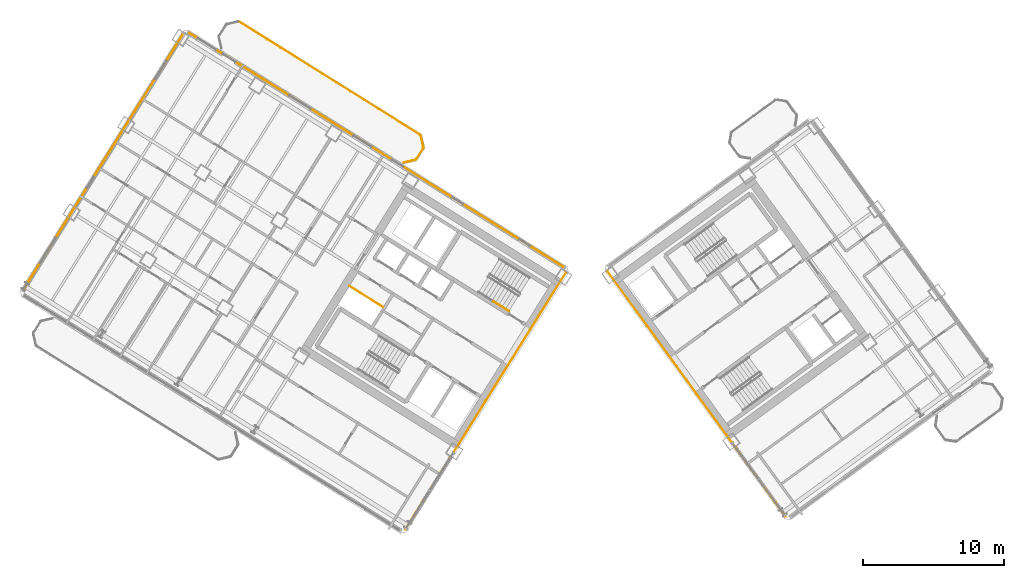
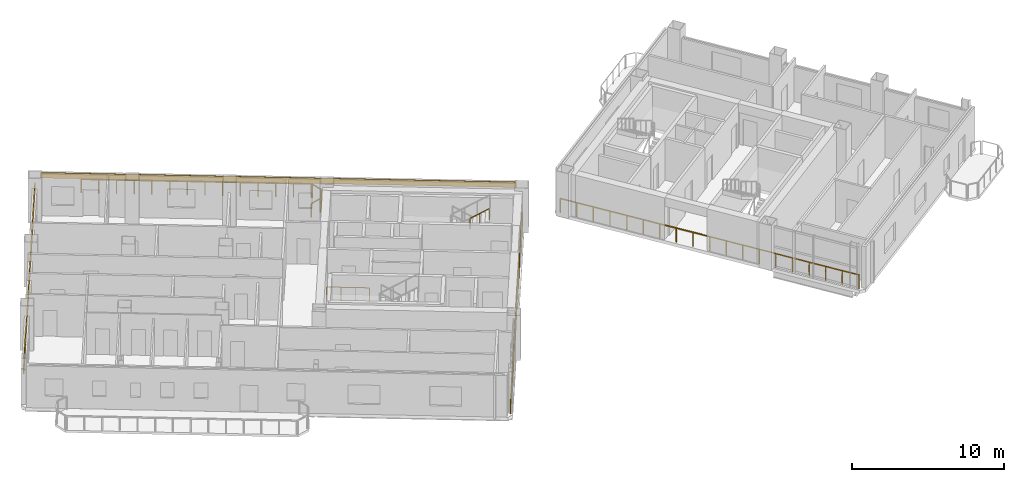
# One storey, part 16 of 19: 8 railings, 2 coverings.
"""IFC4 building model written with IfcOpenShell, lengths in metres."""

from ifc_helpers import new_model, si_unit, direction, frame, origin, origin_2d, place, context, subcontext, project, spatial, rectangle, extrude, source, transform, mapped, material, layer, layer_set, type_object, element, save


model = new_model("IFC4")

# Units and contexts
model_context = context("Model", 3, precision=1e-05, world=origin(), true_north=direction((0.0, 1.0)))
body_context = subcontext(model_context, "Body", "Model", "MODEL_VIEW")
ifc_project = project(units=[si_unit("LENGTHUNIT", "METRE"), si_unit("AREAUNIT", "SQUARE_METRE"), si_unit("VOLUMEUNIT", "CUBIC_METRE"), si_unit("PLANEANGLEUNIT", "RADIAN"), si_unit("MASSUNIT", "GRAM", prefix="KILO")], contexts=[model_context])

# Site, building, storey
site_placement = place(None, origin())
site = spatial("IfcSite", under=ifc_project, at=site_placement, CompositionType="ELEMENT")
building_placement = place(site_placement, origin())
building = spatial("IfcBuilding", under=site, at=building_placement, Name="Tlacorven Tower", CompositionType="ELEMENT")
storey_placement = place(building_placement, frame((0.0, 0.0, 144.300048828125)))
storey = spatial("IfcBuildingStorey", under=building, at=storey_placement, Name="L36", CompositionType="ELEMENT", Elevation=144.300048828125)

# Railings
ifc_material_1 = material(Name="Aluminium and painted steel balustrade", Category="steel")
railing_type_1 = type_object("IfcRailingType", Name="RL-GRD-1100", PredefinedType="GUARDRAIL", material=ifc_material_1)
shared_shape_1 = source(origin(), body_context, "Body", "SweptSolid", [
    extrude(rectangle(XDim=0.048095703125, YDim=0.048095703125, at=origin_2d()), frame((0.0, 0.0, 1.076171875), z_axis=(-0.848091358275, 0.529850024081, 0.0), x_axis=(-0.529850024081, -0.848091358275, 0.0)), (0.0, 0.0, 1.0), 2.800048828125),
    extrude(rectangle(XDim=0.0419921875, YDim=0.0419921875, at=origin_2d()), origin(), (0.0, 0.0, 1.0), 1.052001953125),
    extrude(rectangle(XDim=0.0419921875, YDim=0.0419921875, at=origin_2d()), frame((-0.79150390625, 0.49462890625, 0.0)), (0.0, 0.0, 1.0), 1.052001953125),
    extrude(rectangle(XDim=0.0419921875, YDim=0.0419921875, at=origin_2d()), frame((-1.583251953125, 0.989013671875, 0.0)), (0.0, 0.0, 1.0), 1.052001953125),
    extrude(rectangle(XDim=0.0419921875, YDim=0.0419921875, at=origin_2d()), frame((-2.374755859375, 1.483642578125, 0.0)), (0.0, 0.0, 1.0), 1.052001953125),
])
railing_1_placement = place(storey_placement, frame((27.9912109375, 22.32080078125, 0.0)))
element("IfcRailing", 1, at=railing_1_placement, inside=storey, type_object=railing_type_1, Name="L36 Electrical Riser W Shaft Guard 1", PredefinedType="GUARDRAIL", context=body_context, shape_type="MappedRepresentation", body=[
    mapped(shared_shape_1, transform((0.0, 0.0, 0.0), scale=1.0)),
])
railing_type_2 = type_object("IfcRailingType", Name="RL-BAL-1100", PredefinedType="BALUSTRADE", material=ifc_material_1)
shared_shape_2 = source(origin(), body_context, "Body", "SweptSolid", [
    extrude(rectangle(XDim=0.048095703125, YDim=0.048095703125, at=origin_2d()), frame((0.0, 0.0, 1.076171875), z_axis=(0.225058334816, -0.974345290916, 0.0), x_axis=(0.974345290916, 0.225058334816, 0.0)), (0.0, 0.0, 1.0), 0.80712890625),
    extrude(rectangle(XDim=0.0419921875, YDim=0.0419921875, at=origin_2d()), origin(), (0.0, 0.0, 1.0), 1.052001953125),
    extrude(rectangle(XDim=0.0419921875, YDim=0.0419921875, at=origin_2d()), frame((0.181640625, -0.786376953125, 0.0)), (0.0, 0.0, 1.0), 1.052001953125),
])
railing_2_placement = place(storey_placement, frame((30.6796875, 34.466064453125, 0.0)))
element("IfcRailing", 2, at=railing_2_placement, inside=storey, type_object=railing_type_2, Name="BAL-L36-W-IN Guard Railing 1", PredefinedType="BALUSTRADE", context=body_context, shape_type="MappedRepresentation", body=[
    mapped(shared_shape_2, transform((0.0, 0.0, 0.0), scale=1.0)),
])
shared_shape_3 = source(origin(), body_context, "Body", "SweptSolid", [
    extrude(rectangle(XDim=0.048095703125, YDim=0.048095703125, at=origin_2d()), frame((0.0, 0.0, 1.076171875), z_axis=(-0.52987865805, -0.848073468364, 0.0), x_axis=(0.848073468364, -0.52987865805, 0.0)), (0.0, 0.0, 1.0), 0.912353515625),
    extrude(rectangle(XDim=0.0419921875, YDim=0.0419921875, at=origin_2d()), origin(), (0.0, 0.0, 1.0), 1.052001953125),
    extrude(rectangle(XDim=0.0419921875, YDim=0.0419921875, at=origin_2d()), frame((-0.4833984375, -0.773681640625, 0.0)), (0.0, 0.0, 1.0), 1.052001953125),
])
railing_3_placement = place(storey_placement, frame((30.845947265625, 33.588623046875, 0.0)))
element("IfcRailing", 3, at=railing_3_placement, inside=storey, type_object=railing_type_2, Name="BAL-L36-W-IN Guard Railing 2", PredefinedType="BALUSTRADE", context=body_context, shape_type="MappedRepresentation", body=[
    mapped(shared_shape_3, transform((0.0, 0.0, 0.0), scale=1.0)),
])
shared_shape_4 = source(origin(), body_context, "Body", "SweptSolid", [
    extrude(rectangle(XDim=0.048095703125, YDim=0.048095703125, at=origin_2d()), frame((0.0, 0.0, 1.076171875), z_axis=(-0.974345290916, -0.225058334816, 0.0), x_axis=(0.225058334816, -0.974345290916, 0.0)), (0.0, 0.0, 1.0), 0.80712890625),
    extrude(rectangle(XDim=0.0419921875, YDim=0.0419921875, at=origin_2d()), origin(), (0.0, 0.0, 1.0), 1.052001953125),
    extrude(rectangle(XDim=0.0419921875, YDim=0.0419921875, at=origin_2d()), frame((-0.786376953125, -0.181640625, 0.0)), (0.0, 0.0, 1.0), 1.052001953125),
])
railing_4_placement = place(storey_placement, frame((30.287353515625, 32.761474609375, 0.0)))
element("IfcRailing", 4, at=railing_4_placement, inside=storey, type_object=railing_type_2, Name="BAL-L36-W-IN Guard Railing 3", PredefinedType="BALUSTRADE", context=body_context, shape_type="MappedRepresentation", body=[
    mapped(shared_shape_4, transform((0.0, 0.0, 0.0), scale=1.0)),
])
shared_shape_5 = source(origin(), body_context, "Body", "SweptSolid", [
    extrude(rectangle(XDim=0.048095703125, YDim=0.048095703125, at=origin_2d()), frame((0.0, 0.0, 1.076171875), z_axis=(0.848044572804, -0.529924902733, 0.0), x_axis=(0.529924902733, 0.848044572804, 0.0)), (0.0, 0.0, 1.0), 15.1171875),
    extrude(rectangle(XDim=0.0419921875, YDim=0.0419921875, at=origin_2d()), origin(), (0.0, 0.0, 1.0), 1.052001953125),
    extrude(rectangle(XDim=0.0419921875, YDim=0.0419921875, at=origin_2d()), frame((0.986083984375, -0.6162109375, 0.0)), (0.0, 0.0, 1.0), 1.052001953125),
    extrude(rectangle(XDim=0.0419921875, YDim=0.0419921875, at=origin_2d()), frame((1.972412109375, -1.232421875, 0.0)), (0.0, 0.0, 1.0), 1.052001953125),
    extrude(rectangle(XDim=0.0419921875, YDim=0.0419921875, at=origin_2d()), frame((2.95849609375, -1.8486328125, 0.0)), (0.0, 0.0, 1.0), 1.052001953125),
    extrude(rectangle(XDim=0.0419921875, YDim=0.0419921875, at=origin_2d()), frame((3.944580078125, -2.46484375, 0.0)), (0.0, 0.0, 1.0), 1.052001953125),
    extrude(rectangle(XDim=0.0419921875, YDim=0.0419921875, at=origin_2d()), frame((4.930908203125, -3.0810546875, 0.0)), (0.0, 0.0, 1.0), 1.052001953125),
    extrude(rectangle(XDim=0.0419921875, YDim=0.0419921875, at=origin_2d()), frame((5.9169921875, -3.697265625, 0.0)), (0.0, 0.0, 1.0), 1.052001953125),
    extrude(rectangle(XDim=0.0419921875, YDim=0.0419921875, at=origin_2d()), frame((6.903076171875, -4.313720703125, 0.0)), (0.0, 0.0, 1.0), 1.052001953125),
    extrude(rectangle(XDim=0.0419921875, YDim=0.0419921875, at=origin_2d()), frame((7.88916015625, -4.929931640625, 0.0)), (0.0, 0.0, 1.0), 1.052001953125),
    extrude(rectangle(XDim=0.0419921875, YDim=0.0419921875, at=origin_2d()), frame((8.87548828125, -5.546142578125, 0.0)), (0.0, 0.0, 1.0), 1.052001953125),
    extrude(rectangle(XDim=0.0419921875, YDim=0.0419921875, at=origin_2d()), frame((9.861572265625, -6.162353515625, 0.0)), (0.0, 0.0, 1.0), 1.052001953125),
    extrude(rectangle(XDim=0.0419921875, YDim=0.0419921875, at=origin_2d()), frame((10.84765625, -6.778564453125, 0.0)), (0.0, 0.0, 1.0), 1.052001953125),
    extrude(rectangle(XDim=0.0419921875, YDim=0.0419921875, at=origin_2d()), frame((11.833984375, -7.394775390625, 0.0)), (0.0, 0.0, 1.0), 1.052001953125),
    extrude(rectangle(XDim=0.0419921875, YDim=0.0419921875, at=origin_2d()), frame((12.820068359375, -8.010986328125, 0.0)), (0.0, 0.0, 1.0), 1.052001953125),
])
railing_5_placement = place(storey_placement, frame((17.805908203125, 42.55224609375, 0.0)))
element("IfcRailing", 5, at=railing_5_placement, inside=storey, type_object=railing_type_2, Name="BAL-L36-W-IN Guard Railing 7", PredefinedType="BALUSTRADE", context=body_context, shape_type="MappedRepresentation", body=[
    mapped(shared_shape_5, transform((0.0, 0.0, 0.0), scale=1.0)),
])

# Coverings
ifc_material_2 = material(Name="Precast concrete C45/55", Category="concrete")
ifc_layer = layer(ifc_material_2, 0.06005859375)
ifc_layer_set = layer_set([ifc_layer], Name="Precast concrete C45/55")
covering_type = type_object("IfcCoveringType", Name="CV-CLD-TERC", PredefinedType="CLADDING", material=ifc_layer_set)
shared_shape_6 = source(origin(), body_context, "Body", "SweptSolid", [
    extrude(rectangle(XDim=31.287353515625, YDim=0.06005859375, at=origin_2d()), origin(), (0.0, 0.0, 1.0), 0.419921875),
])
covering_1_placement = place(storey_placement, frame((27.5322265625, 33.455810546875, 2.929931640625), z_axis=(0.0, 0.0, 1.0), x_axis=(0.84804812172, -0.529919223323, 0.0)))
element("IfcCovering", 6, at=covering_1_placement, inside=storey, type_object=covering_type, Name="L36 Masonry-Frame Spandrel Cladding 3", PredefinedType="CLADDING", context=body_context, shape_type="MappedRepresentation", body=[
    mapped(shared_shape_6, transform((0.0, 0.0, 0.0), scale=1.0)),
])
shared_shape_7 = source(origin(), body_context, "Body", "SweptSolid", [
    extrude(rectangle(XDim=21.287353515625, YDim=0.06005859375, at=origin_2d()), origin(), (0.0, 0.0, 1.0), 0.419921875),
])
covering_2_placement = place(storey_placement, frame((8.13427734375, 32.606201171875, 2.35498046875), z_axis=(0.0, 0.0, 1.0), x_axis=(0.529918940959, 0.84804829816, 0.0)))
element("IfcCovering", 7, at=covering_2_placement, inside=storey, type_object=covering_type, Name="L36 Masonry-Frame Spandrel Cladding 2", PredefinedType="CLADDING", context=body_context, shape_type="MappedRepresentation", body=[
    mapped(shared_shape_7, transform((0.0, 0.0, 0.0), scale=1.0)),
])

# Railings
railing_type_3 = type_object("IfcRailingType", Name="RL-GRD-1150", PredefinedType="GUARDRAIL", material=ifc_material_1)
shared_shape_8 = source(origin(), body_context, "Body", "SweptSolid", [
    extrude(rectangle(XDim=0.048095703125, YDim=0.048095703125, at=origin_2d()), frame((0.0, 0.0, 1.1259765625), z_axis=(-0.529922340282, -0.84804617402, 0.0), x_axis=(0.84804617402, -0.529922340282, 0.0)), (0.0, 0.0, 1.0), 21.487548828125),
    extrude(rectangle(XDim=0.0419921875, YDim=0.0419921875, at=origin_2d()), origin(), (0.0, 0.0, 1.0), 1.101806640625),
    extrude(rectangle(XDim=0.0419921875, YDim=0.0419921875, at=origin_2d()), frame((-0.632568359375, -1.012451171875, 0.0)), (0.0, 0.0, 1.0), 1.101806640625),
    extrude(rectangle(XDim=0.0419921875, YDim=0.0419921875, at=origin_2d()), frame((-1.26513671875, -2.024658203125, 0.0)), (0.0, 0.0, 1.0), 1.101806640625),
    extrude(rectangle(XDim=0.0419921875, YDim=0.0419921875, at=origin_2d()), frame((-1.897705078125, -3.037109375, 0.0)), (0.0, 0.0, 1.0), 1.101806640625),
    extrude(rectangle(XDim=0.0419921875, YDim=0.0419921875, at=origin_2d()), frame((-2.5302734375, -4.04931640625, 0.0)), (0.0, 0.0, 1.0), 1.101806640625),
    extrude(rectangle(XDim=0.0419921875, YDim=0.0419921875, at=origin_2d()), frame((-3.1630859375, -5.061767578125, 0.0)), (0.0, 0.0, 1.0), 1.101806640625),
    extrude(rectangle(XDim=0.0419921875, YDim=0.0419921875, at=origin_2d()), frame((-3.795654296875, -6.07421875, 0.0)), (0.0, 0.0, 1.0), 1.101806640625),
    extrude(rectangle(XDim=0.0419921875, YDim=0.0419921875, at=origin_2d()), frame((-4.42822265625, -7.08642578125, 0.0)), (0.0, 0.0, 1.0), 1.101806640625),
    extrude(rectangle(XDim=0.0419921875, YDim=0.0419921875, at=origin_2d()), frame((-5.060791015625, -8.098876953125, 0.0)), (0.0, 0.0, 1.0), 1.101806640625),
    extrude(rectangle(XDim=0.0419921875, YDim=0.0419921875, at=origin_2d()), frame((-5.693359375, -9.111328125, 0.0)), (0.0, 0.0, 1.0), 1.101806640625),
    extrude(rectangle(XDim=0.0419921875, YDim=0.0419921875, at=origin_2d()), frame((-6.325927734375, -10.12353515625, 0.0)), (0.0, 0.0, 1.0), 1.101806640625),
    extrude(rectangle(XDim=0.0419921875, YDim=0.0419921875, at=origin_2d()), frame((-6.95849609375, -11.135986328125, 0.0)), (0.0, 0.0, 1.0), 1.101806640625),
    extrude(rectangle(XDim=0.0419921875, YDim=0.0419921875, at=origin_2d()), frame((-7.591064453125, -12.148193359375, 0.0)), (0.0, 0.0, 1.0), 1.101806640625),
    extrude(rectangle(XDim=0.0419921875, YDim=0.0419921875, at=origin_2d()), frame((-8.2236328125, -13.16064453125, 0.0)), (0.0, 0.0, 1.0), 1.101806640625),
    extrude(rectangle(XDim=0.0419921875, YDim=0.0419921875, at=origin_2d()), frame((-8.8564453125, -14.173095703125, 0.0)), (0.0, 0.0, 1.0), 1.101806640625),
    extrude(rectangle(XDim=0.0419921875, YDim=0.0419921875, at=origin_2d()), frame((-9.489013671875, -15.185302734375, 0.0)), (0.0, 0.0, 1.0), 1.101806640625),
    extrude(rectangle(XDim=0.0419921875, YDim=0.0419921875, at=origin_2d()), frame((-10.12158203125, -16.19775390625, 0.0)), (0.0, 0.0, 1.0), 1.101806640625),
    extrude(rectangle(XDim=0.0419921875, YDim=0.0419921875, at=origin_2d()), frame((-10.754150390625, -17.2099609375, 0.0)), (0.0, 0.0, 1.0), 1.101806640625),
    extrude(rectangle(XDim=0.0419921875, YDim=0.0419921875, at=origin_2d()), frame((-11.38671875, -18.222412109375, 0.0)), (0.0, 0.0, 1.0), 1.101806640625),
])
railing_6_placement = place(storey_placement, frame((40.965087890625, 24.760009765625, 0.0)))
element("IfcRailing", 8, at=railing_6_placement, inside=storey, type_object=railing_type_3, Name="L36 Void-Portal Atrium Guard 1", PredefinedType="GUARDRAIL", context=body_context, shape_type="MappedRepresentation", body=[
    mapped(shared_shape_8, transform((0.0, 0.0, 0.0), scale=1.0)),
])
shared_shape_9 = source(origin(), body_context, "Body", "SweptSolid", [
    extrude(rectangle(XDim=0.048095703125, YDim=0.048095703125, at=origin_2d()), frame((0.0, 0.0, 1.1259765625), z_axis=(-0.587792632144, 0.809011632547, 0.0), x_axis=(-0.809011632547, -0.587792632144, 0.0)), (0.0, 0.0, 1.0), 21.4873046875),
    extrude(rectangle(XDim=0.0419921875, YDim=0.0419921875, at=origin_2d()), origin(), (0.0, 0.0, 1.0), 1.101806640625),
    extrude(rectangle(XDim=0.0419921875, YDim=0.0419921875, at=origin_2d()), frame((-0.70166015625, 0.9658203125, 0.0)), (0.0, 0.0, 1.0), 1.101806640625),
    extrude(rectangle(XDim=0.0419921875, YDim=0.0419921875, at=origin_2d()), frame((-1.4033203125, 1.931396484375, 0.0)), (0.0, 0.0, 1.0), 1.101806640625),
    extrude(rectangle(XDim=0.0419921875, YDim=0.0419921875, at=origin_2d()), frame((-2.10498046875, 2.897216796875, 0.0)), (0.0, 0.0, 1.0), 1.101806640625),
    extrude(rectangle(XDim=0.0419921875, YDim=0.0419921875, at=origin_2d()), frame((-2.806640625, 3.863037109375, 0.0)), (0.0, 0.0, 1.0), 1.101806640625),
    extrude(rectangle(XDim=0.0419921875, YDim=0.0419921875, at=origin_2d()), frame((-3.50830078125, 4.828857421875, 0.0)), (0.0, 0.0, 1.0), 1.101806640625),
    extrude(rectangle(XDim=0.0419921875, YDim=0.0419921875, at=origin_2d()), frame((-4.2099609375, 5.79443359375, 0.0)), (0.0, 0.0, 1.0), 1.101806640625),
    extrude(rectangle(XDim=0.0419921875, YDim=0.0419921875, at=origin_2d()), frame((-4.91162109375, 6.76025390625, 0.0)), (0.0, 0.0, 1.0), 1.101806640625),
    extrude(rectangle(XDim=0.0419921875, YDim=0.0419921875, at=origin_2d()), frame((-5.61328125, 7.72607421875, 0.0)), (0.0, 0.0, 1.0), 1.101806640625),
    extrude(rectangle(XDim=0.0419921875, YDim=0.0419921875, at=origin_2d()), frame((-6.31494140625, 8.69189453125, 0.0)), (0.0, 0.0, 1.0), 1.101806640625),
    extrude(rectangle(XDim=0.0419921875, YDim=0.0419921875, at=origin_2d()), frame((-7.016845703125, 9.657470703125, 0.0)), (0.0, 0.0, 1.0), 1.101806640625),
    extrude(rectangle(XDim=0.0419921875, YDim=0.0419921875, at=origin_2d()), frame((-7.718505859375, 10.623291015625, 0.0)), (0.0, 0.0, 1.0), 1.101806640625),
    extrude(rectangle(XDim=0.0419921875, YDim=0.0419921875, at=origin_2d()), frame((-8.420166015625, 11.589111328125, 0.0)), (0.0, 0.0, 1.0), 1.101806640625),
    extrude(rectangle(XDim=0.0419921875, YDim=0.0419921875, at=origin_2d()), frame((-9.121826171875, 12.5546875, 0.0)), (0.0, 0.0, 1.0), 1.101806640625),
    extrude(rectangle(XDim=0.0419921875, YDim=0.0419921875, at=origin_2d()), frame((-9.823486328125, 13.5205078125, 0.0)), (0.0, 0.0, 1.0), 1.101806640625),
    extrude(rectangle(XDim=0.0419921875, YDim=0.0419921875, at=origin_2d()), frame((-10.525146484375, 14.486328125, 0.0)), (0.0, 0.0, 1.0), 1.101806640625),
    extrude(rectangle(XDim=0.0419921875, YDim=0.0419921875, at=origin_2d()), frame((-11.226806640625, 15.4521484375, 0.0)), (0.0, 0.0, 1.0), 1.101806640625),
    extrude(rectangle(XDim=0.0419921875, YDim=0.0419921875, at=origin_2d()), frame((-11.928466796875, 16.417724609375, 0.0)), (0.0, 0.0, 1.0), 1.101806640625),
    extrude(rectangle(XDim=0.0419921875, YDim=0.0419921875, at=origin_2d()), frame((-12.630126953125, 17.383544921875, 0.0)), (0.0, 0.0, 1.0), 1.101806640625),
])
railing_7_placement = place(storey_placement, frame((56.5517578125, 7.4794921875, 0.0)))
element("IfcRailing", 9, at=railing_7_placement, inside=storey, type_object=railing_type_3, Name="L36 Void-Portal Atrium Guard 1", PredefinedType="GUARDRAIL", context=body_context, shape_type="MappedRepresentation", body=[
    mapped(shared_shape_9, transform((0.0, 0.0, 0.0), scale=1.0)),
])
railing_type_4 = type_object("IfcRailingType", Name="RL-HND-0900", PredefinedType="HANDRAIL", material=ifc_material_1)
shared_shape_10 = source(origin(), body_context, "Body", "SweptSolid", [
    extrude(rectangle(XDim=0.048095703125, YDim=0.048095703125, at=origin_2d()), frame((0.0, 0.0, 0.8759765625), z_axis=(0.713422621445, -0.445787267455, 0.540649494022), x_axis=(0.529911857636, 0.848052724267, 0.0)), (0.0, 0.0, 1.0), 1.497802734375),
    extrude(rectangle(XDim=0.0419921875, YDim=0.0419921875, at=origin_2d()), origin(), (0.0, 0.0, 1.0), 0.851806640625),
    extrude(rectangle(XDim=0.0419921875, YDim=0.0419921875, at=origin_2d()), frame((0.5341796875, -0.333984375, 0.40478515625)), (0.0, 0.0, 1.0), 0.851806640625),
    extrude(rectangle(XDim=0.0419921875, YDim=0.0419921875, at=origin_2d()), frame((1.068603515625, -0.667724609375, 0.809814453125)), (0.0, 0.0, 1.0), 0.851806640625),
])
railing_8_placement = place(storey_placement, frame((35.848876953125, 22.705078125, 2.7900390625)))
element("IfcRailing", 10, at=railing_8_placement, inside=storey, type_object=railing_type_4, Name="L36 ST-W2 stair handrail 4", PredefinedType="HANDRAIL", context=body_context, shape_type="MappedRepresentation", body=[
    mapped(shared_shape_10, transform((0.0, 0.0, 0.0), scale=1.0)),
])

save(model, "model.ifc")
